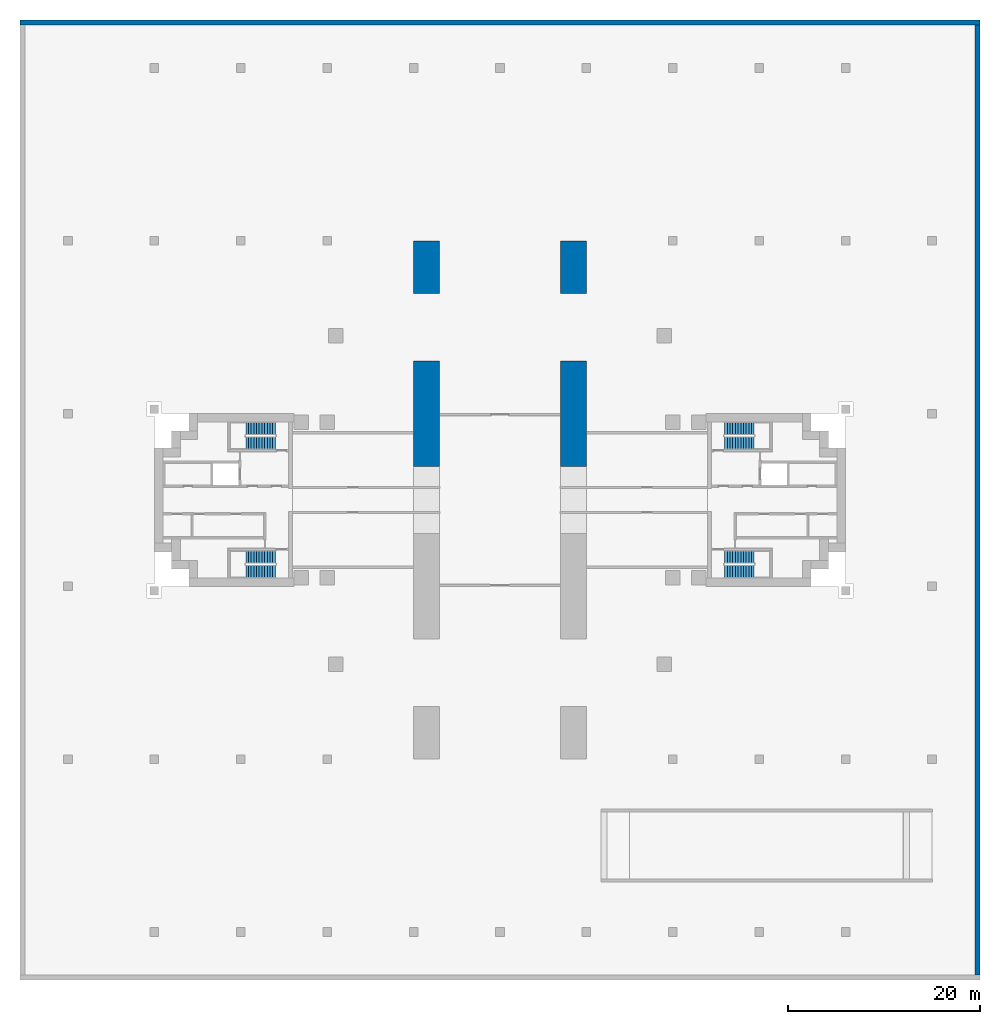
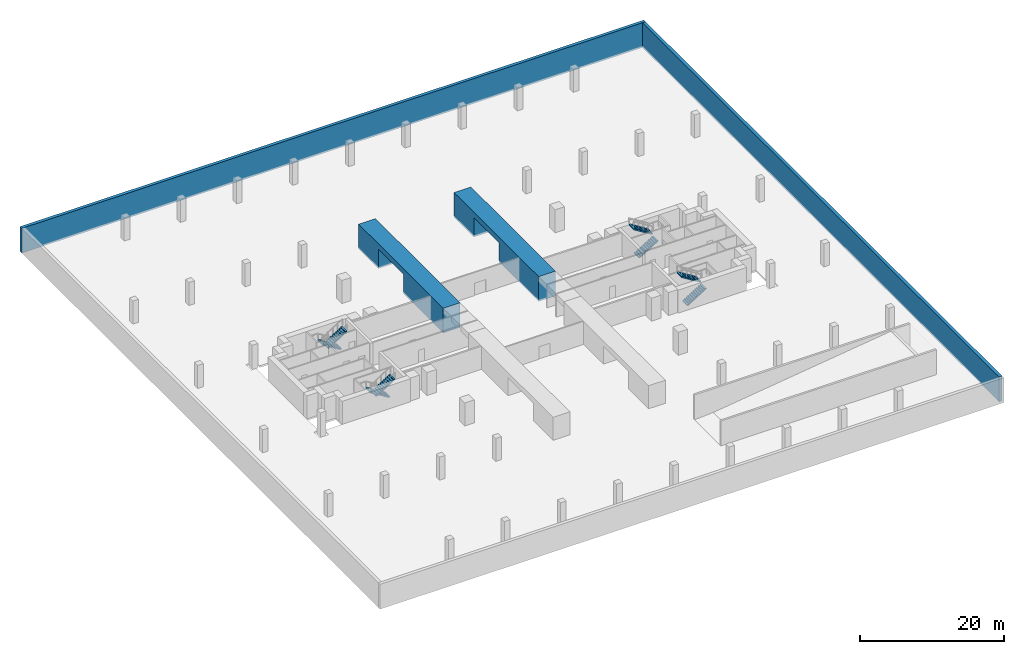
# One storey, part 6 of 8: 8 stair flights, 4 walls, 4 elements without a shape of their own.
"""IFC4 building model written with IfcOpenShell, lengths in metres."""

from ifc_helpers import new_model, si_unit, direction, frame, frame_2d, origin, place, context, subcontext, project, spatial, polyline, rectangle, outline, extrude, material, layer, layer_set, material_profile, profile_set, type_object, element, aggregate, save


model = new_model("IFC4")

# Units and contexts
model_context = context("Model", 3, precision=1e-05, world=origin(), true_north=direction((0.0, 1.0)))
body_context = subcontext(model_context, "Body", "Model", "MODEL_VIEW")
ifc_project = project(units=[si_unit("LENGTHUNIT", "METRE"), si_unit("AREAUNIT", "SQUARE_METRE"), si_unit("VOLUMEUNIT", "CUBIC_METRE"), si_unit("PLANEANGLEUNIT", "RADIAN"), si_unit("MASSUNIT", "GRAM", prefix="KILO")], contexts=[model_context])

# Site, building, storey
site_placement = place(None, origin())
site = spatial("IfcSite", under=ifc_project, at=site_placement, CompositionType="ELEMENT")
building_placement = place(site_placement, origin())
building = spatial("IfcBuilding", under=site, at=building_placement, Name="Perihelion Cross Residences", CompositionType="ELEMENT")
storey_placement = place(building_placement, frame((0.0, 0.0, -12.89990234375)))
storey = spatial("IfcBuildingStorey", under=building, at=storey_placement, Name="B3", CompositionType="ELEMENT", Elevation=-12.89990234375)

# Walls
ifc_material_1 = material(Name="Concrete C40/50", Category="concrete")
ifc_layer = layer(ifc_material_1, 0.5)
ifc_layer_set = layer_set([ifc_layer], Name="Basement retaining wall 500 concrete C40/50")
wall_type_1 = type_object("IfcWallType", Name="Basement retaining wall 500 concrete C40/50", PredefinedType="SOLIDWALL", material=ifc_layer_set)
wall_1_placement = place(storey_placement, frame((-50.0, 49.75, -0.300048828125), z_axis=(0.0, 0.0, 1.0), x_axis=(1.0, 0.0, 0.0)))
element("IfcWall", 1, at=wall_1_placement, inside=storey, type_object=wall_type_1, Name="Wall SW1 B3 retaining north", PredefinedType="SOLIDWALL", context=body_context, shape_type="SweptSolid", body=[
    extrude(rectangle(XDim=100.0, YDim=0.5, at=frame_2d((50.0, 0.0))), origin(), (0.0, 0.0, 1.0), 4.199951171875),
])
wall_2_placement = place(storey_placement, frame((49.75, -49.5, -0.300048828125), z_axis=(0.0, 0.0, 1.0), x_axis=(0.0, 1.0, 0.0)))
element("IfcWall", 2, at=wall_2_placement, inside=storey, type_object=wall_type_1, Name="Wall SW1 B3 retaining east", PredefinedType="SOLIDWALL", context=body_context, shape_type="SweptSolid", body=[
    extrude(rectangle(XDim=99.0, YDim=0.5, at=frame_2d((49.5, 0.0))), origin(), (0.0, 0.0, 1.0), 4.199951171875),
])
ifc_material_2 = material(Name="Concrete C60/75", Category="concrete")
ifc_material_profile = material_profile(ifc_material_2, outline(polyline([(0.0, 0.0), (11.0, 0.0), (11.0, 3.300048828125), (18.0, 3.300048828125), (18.0, 0.0), (23.5, 0.0), (23.5, 4.199951171875), (0.0, 4.199951171875), (0.0, 0.0)])), Name="Pier wall")
ifc_profile_set = profile_set([ifc_material_profile], Name="Concrete C60/75")
wall_type_2 = type_object("IfcWallType", Name="Pier wall 2700 with 1 lane openings 23500 long 4200 high concrete C60/75 hand B", PredefinedType="SOLIDWALL", material=ifc_profile_set)
for number, where, z_axis, x_axis, name in (
    (3, (6.300048828125, 3.5, -0.300048828125), (1.0, 0.0, 0.0), (0.0, 1.0, 0.0), "Shear wall SW6 B3 pier east north"),
    (4, (-9.0, 3.5, -0.300048828125), (1.0, 0.0, 0.0), (0.0, 1.0, 0.0), "Shear wall SW6 B3 pier west north"),
):
    element("IfcWall", number, at=place(storey_placement, frame(where, z_axis=z_axis, x_axis=x_axis)), inside=storey, type_object=wall_type_2, Name=name, PredefinedType="SOLIDWALL", context=body_context, shape_type="SweptSolid", body=[
        extrude(outline(polyline([(0.0, 0.0), (11.0, 0.0), (11.0, 3.300048828125), (18.0, 3.300048828125), (18.0, 0.0), (23.5, 0.0), (23.5, 4.199951171875), (0.0, 4.199951171875), (0.0, 0.0)])), origin(), (0.0, 0.0, 1.0), 2.699951171875),
    ])

# Stair, stair flights
ifc_material_3 = material(Name="Concrete C40/50", Category="concrete")
stair_type = type_object("IfcStairType", Name="Exit stair, half-turn", PredefinedType="HALF_TURN_STAIR", material=ifc_material_3)
stair_1_placement = place(storey_placement, origin())
stair_1 = element("IfcStair", 5, at=stair_1_placement, inside=storey, type_object=stair_type, Name="B3 East core exit stair 1", PredefinedType="HALF_TURN_STAIR")
ifc_material_4 = material(Name="Concrete C40/50", Category="concrete")
stair_flight_type = type_object("IfcStairFlightType", Name="Exit stair flight", PredefinedType="STRAIGHT", material=ifc_material_4)
stair_flight_1_placement = place(storey_placement, frame((23.39990234375, 5.925048828125, 0.0), z_axis=(0.0, 0.0, 1.0), x_axis=(1.0, 0.0, 0.0)))
stair_flight_1 = element("IfcStairFlight", 6, at=stair_flight_1_placement, type_object=stair_flight_type, Name="ST-E1 flight 1", NumberOfRisers=12, NumberOfTreads=11, PredefinedType="STRAIGHT", RiserHeight=0.175, TreadLength=0.28, context=body_context, shape_type="SweptSolid", body=[
    extrude(outline(polyline([(0.0, 0.0), (0.0, 0.175048828125), (0.280029296875, 0.175048828125), (0.280029296875, 0.35009765625), (0.56005859375, 0.35009765625), (0.56005859375, 0.52490234375), (0.840087890625, 0.52490234375), (0.840087890625, 0.699951171875), (1.1201171875, 0.699951171875), (1.1201171875, 0.875), (1.39990234375, 0.875), (1.39990234375, 1.050048828125), (1.679931640625, 1.050048828125), (1.679931640625, 1.22509765625), (1.9599609375, 1.22509765625), (1.9599609375, 1.39990234375), (2.239990234375, 1.39990234375), (2.239990234375, 1.574951171875), (2.52001953125, 1.574951171875), (2.52001953125, 1.75), (2.800048828125, 1.75), (2.800048828125, 1.925048828125), (3.080078125, 1.925048828125), (3.080078125, 2.10009765625), (3.080078125, 1.748291015625), (0.28271484375, 0.0), (0.0, 0.0)])), frame((0.0, 0.675048828125, 0.0), z_axis=(0.0, -1.0, 0.0), x_axis=(1.0, 0.0, 0.0)), (0.0, 0.0, 1.0), 1.35009765625),
])
stair_flight_2_placement = place(storey_placement, frame((26.47998046875, 7.425048828125, 2.099853515625), z_axis=(0.0, 0.0, 1.0), x_axis=(-1.0, 0.0, 0.0)))
stair_flight_2 = element("IfcStairFlight", 7, at=stair_flight_2_placement, type_object=stair_flight_type, Name="ST-E1 flight 2", NumberOfRisers=12, NumberOfTreads=11, PredefinedType="STRAIGHT", RiserHeight=0.175, TreadLength=0.28, context=body_context, shape_type="SweptSolid", body=[
    extrude(outline(polyline([(0.0, 0.0), (0.0, 0.175048828125), (0.280029296875, 0.175048828125), (0.280029296875, 0.35009765625), (0.56005859375, 0.35009765625), (0.56005859375, 0.52490234375), (0.840087890625, 0.52490234375), (0.840087890625, 0.699951171875), (1.1201171875, 0.699951171875), (1.1201171875, 0.875), (1.39990234375, 0.875), (1.39990234375, 1.050048828125), (1.679931640625, 1.050048828125), (1.679931640625, 1.22509765625), (1.9599609375, 1.22509765625), (1.9599609375, 1.39990234375), (2.239990234375, 1.39990234375), (2.239990234375, 1.574951171875), (2.52001953125, 1.574951171875), (2.52001953125, 1.75), (2.800048828125, 1.75), (2.800048828125, 1.925048828125), (3.080078125, 1.925048828125), (3.080078125, 2.10009765625), (3.080078125, 1.748291015625), (0.28271484375, 0.0), (0.0, 0.0)])), frame((0.0, 0.675048828125, 0.0), z_axis=(0.0, -1.0, 0.0), x_axis=(1.0, 0.0, 0.0)), (0.0, 0.0, 1.0), 1.35009765625),
])
aggregate(stair_1, [stair_flight_1, stair_flight_2])

stair_2_placement = place(storey_placement, origin())
stair_2 = element("IfcStair", 8, at=stair_2_placement, inside=storey, type_object=stair_type, Name="B3 East core exit stair 2", PredefinedType="HALF_TURN_STAIR")
stair_flight_3_placement = place(storey_placement, frame((23.39990234375, -7.425048828125, 0.0), z_axis=(0.0, 0.0, 1.0), x_axis=(1.0, 0.0, 0.0)))
stair_flight_3 = element("IfcStairFlight", 9, at=stair_flight_3_placement, type_object=stair_flight_type, Name="ST-E2 flight 1", NumberOfRisers=12, NumberOfTreads=11, PredefinedType="STRAIGHT", RiserHeight=0.175, TreadLength=0.28, context=body_context, shape_type="SweptSolid", body=[
    extrude(outline(polyline([(0.0, 0.0), (0.0, 0.175048828125), (0.280029296875, 0.175048828125), (0.280029296875, 0.35009765625), (0.56005859375, 0.35009765625), (0.56005859375, 0.52490234375), (0.840087890625, 0.52490234375), (0.840087890625, 0.699951171875), (1.1201171875, 0.699951171875), (1.1201171875, 0.875), (1.39990234375, 0.875), (1.39990234375, 1.050048828125), (1.679931640625, 1.050048828125), (1.679931640625, 1.22509765625), (1.9599609375, 1.22509765625), (1.9599609375, 1.39990234375), (2.239990234375, 1.39990234375), (2.239990234375, 1.574951171875), (2.52001953125, 1.574951171875), (2.52001953125, 1.75), (2.800048828125, 1.75), (2.800048828125, 1.925048828125), (3.080078125, 1.925048828125), (3.080078125, 2.10009765625), (3.080078125, 1.748291015625), (0.28271484375, 0.0), (0.0, 0.0)])), frame((0.0, 0.675048828125, 0.0), z_axis=(0.0, -1.0, 0.0), x_axis=(1.0, 0.0, 0.0)), (0.0, 0.0, 1.0), 1.35009765625),
])
stair_flight_4_placement = place(storey_placement, frame((26.47998046875, -5.925048828125, 2.099853515625), z_axis=(0.0, 0.0, 1.0), x_axis=(-1.0, 0.0, 0.0)))
stair_flight_4 = element("IfcStairFlight", 10, at=stair_flight_4_placement, type_object=stair_flight_type, Name="ST-E2 flight 2", NumberOfRisers=12, NumberOfTreads=11, PredefinedType="STRAIGHT", RiserHeight=0.175, TreadLength=0.28, context=body_context, shape_type="SweptSolid", body=[
    extrude(outline(polyline([(0.0, 0.0), (0.0, 0.175048828125), (0.280029296875, 0.175048828125), (0.280029296875, 0.35009765625), (0.56005859375, 0.35009765625), (0.56005859375, 0.52490234375), (0.840087890625, 0.52490234375), (0.840087890625, 0.699951171875), (1.1201171875, 0.699951171875), (1.1201171875, 0.875), (1.39990234375, 0.875), (1.39990234375, 1.050048828125), (1.679931640625, 1.050048828125), (1.679931640625, 1.22509765625), (1.9599609375, 1.22509765625), (1.9599609375, 1.39990234375), (2.239990234375, 1.39990234375), (2.239990234375, 1.574951171875), (2.52001953125, 1.574951171875), (2.52001953125, 1.75), (2.800048828125, 1.75), (2.800048828125, 1.925048828125), (3.080078125, 1.925048828125), (3.080078125, 2.10009765625), (3.080078125, 1.748291015625), (0.28271484375, 0.0), (0.0, 0.0)])), frame((0.0, 0.675048828125, 0.0), z_axis=(0.0, -1.0, 0.0), x_axis=(1.0, 0.0, 0.0)), (0.0, 0.0, 1.0), 1.35009765625),
])
aggregate(stair_2, [stair_flight_3, stair_flight_4])

stair_3_placement = place(storey_placement, origin())
stair_3 = element("IfcStair", 11, at=stair_3_placement, inside=storey, type_object=stair_type, Name="B3 West core exit stair 1", PredefinedType="HALF_TURN_STAIR")
stair_flight_5_placement = place(storey_placement, frame((-23.39990234375, 7.425048828125, 0.0), z_axis=(0.0, 0.0, 1.0), x_axis=(-1.0, 0.0, 0.0)))
stair_flight_5 = element("IfcStairFlight", 12, at=stair_flight_5_placement, type_object=stair_flight_type, Name="ST-W1 flight 1", NumberOfRisers=12, NumberOfTreads=11, PredefinedType="STRAIGHT", RiserHeight=0.175, TreadLength=0.28, context=body_context, shape_type="SweptSolid", body=[
    extrude(outline(polyline([(0.0, 0.0), (0.0, 0.175048828125), (0.280029296875, 0.175048828125), (0.280029296875, 0.35009765625), (0.56005859375, 0.35009765625), (0.56005859375, 0.52490234375), (0.840087890625, 0.52490234375), (0.840087890625, 0.699951171875), (1.1201171875, 0.699951171875), (1.1201171875, 0.875), (1.39990234375, 0.875), (1.39990234375, 1.050048828125), (1.679931640625, 1.050048828125), (1.679931640625, 1.22509765625), (1.9599609375, 1.22509765625), (1.9599609375, 1.39990234375), (2.239990234375, 1.39990234375), (2.239990234375, 1.574951171875), (2.52001953125, 1.574951171875), (2.52001953125, 1.75), (2.800048828125, 1.75), (2.800048828125, 1.925048828125), (3.080078125, 1.925048828125), (3.080078125, 2.10009765625), (3.080078125, 1.748291015625), (0.28271484375, 0.0), (0.0, 0.0)])), frame((0.0, 0.675048828125, 0.0), z_axis=(0.0, -1.0, 0.0), x_axis=(1.0, 0.0, 0.0)), (0.0, 0.0, 1.0), 1.35009765625),
])
stair_flight_6_placement = place(storey_placement, frame((-26.47998046875, 5.925048828125, 2.099853515625), z_axis=(0.0, 0.0, 1.0), x_axis=(1.0, 0.0, 0.0)))
stair_flight_6 = element("IfcStairFlight", 13, at=stair_flight_6_placement, type_object=stair_flight_type, Name="ST-W1 flight 2", NumberOfRisers=12, NumberOfTreads=11, PredefinedType="STRAIGHT", RiserHeight=0.175, TreadLength=0.28, context=body_context, shape_type="SweptSolid", body=[
    extrude(outline(polyline([(0.0, 0.0), (0.0, 0.175048828125), (0.280029296875, 0.175048828125), (0.280029296875, 0.35009765625), (0.56005859375, 0.35009765625), (0.56005859375, 0.52490234375), (0.840087890625, 0.52490234375), (0.840087890625, 0.699951171875), (1.1201171875, 0.699951171875), (1.1201171875, 0.875), (1.39990234375, 0.875), (1.39990234375, 1.050048828125), (1.679931640625, 1.050048828125), (1.679931640625, 1.22509765625), (1.9599609375, 1.22509765625), (1.9599609375, 1.39990234375), (2.239990234375, 1.39990234375), (2.239990234375, 1.574951171875), (2.52001953125, 1.574951171875), (2.52001953125, 1.75), (2.800048828125, 1.75), (2.800048828125, 1.925048828125), (3.080078125, 1.925048828125), (3.080078125, 2.10009765625), (3.080078125, 1.748291015625), (0.28271484375, 0.0), (0.0, 0.0)])), frame((0.0, 0.675048828125, 0.0), z_axis=(0.0, -1.0, 0.0), x_axis=(1.0, 0.0, 0.0)), (0.0, 0.0, 1.0), 1.35009765625),
])
aggregate(stair_3, [stair_flight_5, stair_flight_6])

stair_4_placement = place(storey_placement, origin())
stair_4 = element("IfcStair", 14, at=stair_4_placement, inside=storey, type_object=stair_type, Name="B3 West core exit stair 2", PredefinedType="HALF_TURN_STAIR")
stair_flight_7_placement = place(storey_placement, frame((-23.39990234375, -5.925048828125, 0.0), z_axis=(0.0, 0.0, 1.0), x_axis=(-1.0, 0.0, 0.0)))
stair_flight_7 = element("IfcStairFlight", 15, at=stair_flight_7_placement, type_object=stair_flight_type, Name="ST-W2 flight 1", NumberOfRisers=12, NumberOfTreads=11, PredefinedType="STRAIGHT", RiserHeight=0.175, TreadLength=0.28, context=body_context, shape_type="SweptSolid", body=[
    extrude(outline(polyline([(0.0, 0.0), (0.0, 0.175048828125), (0.280029296875, 0.175048828125), (0.280029296875, 0.35009765625), (0.56005859375, 0.35009765625), (0.56005859375, 0.52490234375), (0.840087890625, 0.52490234375), (0.840087890625, 0.699951171875), (1.1201171875, 0.699951171875), (1.1201171875, 0.875), (1.39990234375, 0.875), (1.39990234375, 1.050048828125), (1.679931640625, 1.050048828125), (1.679931640625, 1.22509765625), (1.9599609375, 1.22509765625), (1.9599609375, 1.39990234375), (2.239990234375, 1.39990234375), (2.239990234375, 1.574951171875), (2.52001953125, 1.574951171875), (2.52001953125, 1.75), (2.800048828125, 1.75), (2.800048828125, 1.925048828125), (3.080078125, 1.925048828125), (3.080078125, 2.10009765625), (3.080078125, 1.748291015625), (0.28271484375, 0.0), (0.0, 0.0)])), frame((0.0, 0.675048828125, 0.0), z_axis=(0.0, -1.0, 0.0), x_axis=(1.0, 0.0, 0.0)), (0.0, 0.0, 1.0), 1.35009765625),
])
stair_flight_8_placement = place(storey_placement, frame((-26.47998046875, -7.425048828125, 2.099853515625), z_axis=(0.0, 0.0, 1.0), x_axis=(1.0, 0.0, 0.0)))
stair_flight_8 = element("IfcStairFlight", 16, at=stair_flight_8_placement, type_object=stair_flight_type, Name="ST-W2 flight 2", NumberOfRisers=12, NumberOfTreads=11, PredefinedType="STRAIGHT", RiserHeight=0.175, TreadLength=0.28, context=body_context, shape_type="SweptSolid", body=[
    extrude(outline(polyline([(0.0, 0.0), (0.0, 0.175048828125), (0.280029296875, 0.175048828125), (0.280029296875, 0.35009765625), (0.56005859375, 0.35009765625), (0.56005859375, 0.52490234375), (0.840087890625, 0.52490234375), (0.840087890625, 0.699951171875), (1.1201171875, 0.699951171875), (1.1201171875, 0.875), (1.39990234375, 0.875), (1.39990234375, 1.050048828125), (1.679931640625, 1.050048828125), (1.679931640625, 1.22509765625), (1.9599609375, 1.22509765625), (1.9599609375, 1.39990234375), (2.239990234375, 1.39990234375), (2.239990234375, 1.574951171875), (2.52001953125, 1.574951171875), (2.52001953125, 1.75), (2.800048828125, 1.75), (2.800048828125, 1.925048828125), (3.080078125, 1.925048828125), (3.080078125, 2.10009765625), (3.080078125, 1.748291015625), (0.28271484375, 0.0), (0.0, 0.0)])), frame((0.0, 0.675048828125, 0.0), z_axis=(0.0, -1.0, 0.0), x_axis=(1.0, 0.0, 0.0)), (0.0, 0.0, 1.0), 1.35009765625),
])
aggregate(stair_4, [stair_flight_7, stair_flight_8])

save(model, "model.ifc")
